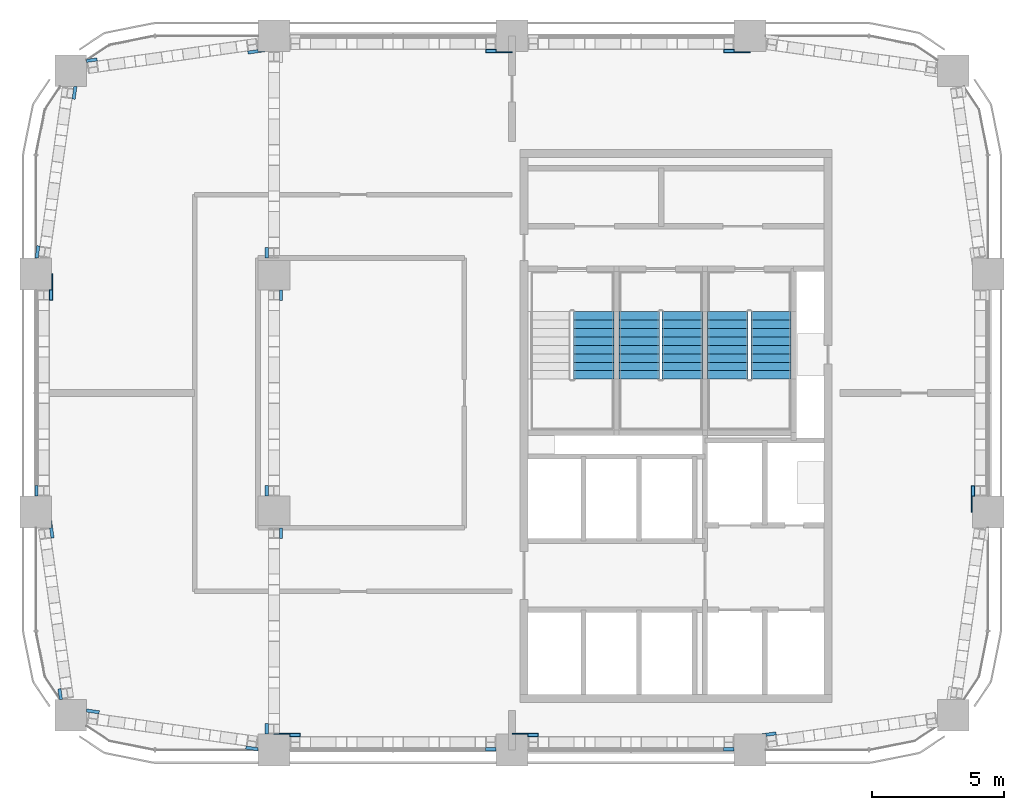
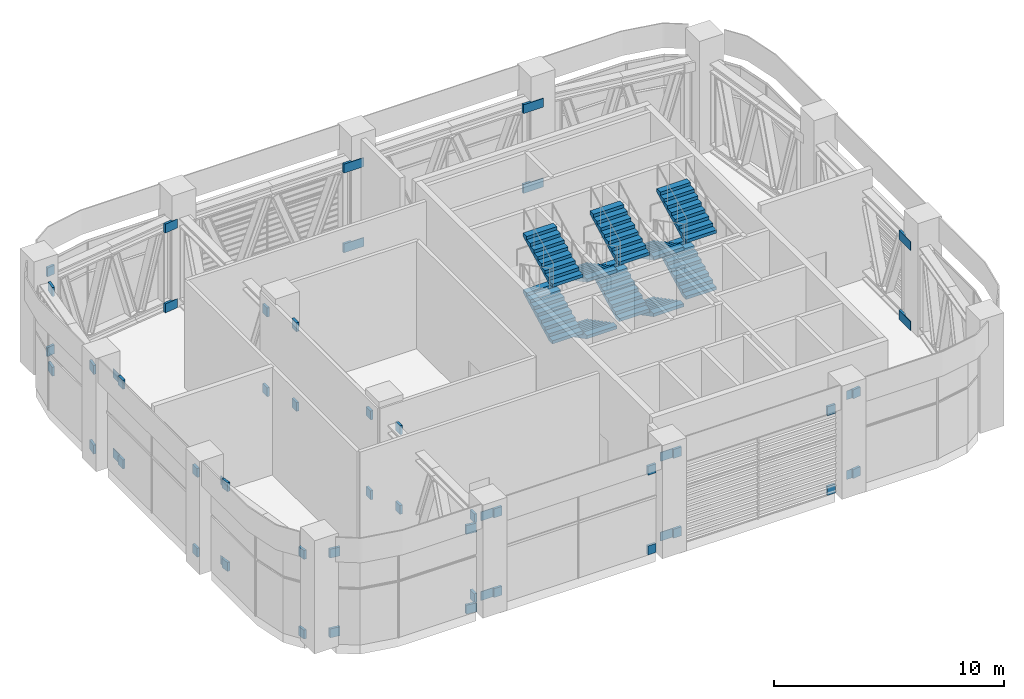
# One storey, part 11 of 14: 46 discrete accessories, 10 stair flights, 3 elements without a shape of their own.
"""IFC4 building model written with IfcOpenShell, lengths in metres."""

import ifcopenshell
import ifcopenshell.guid

model = None  # the IFC model being written
_history = None  # IfcOwnerHistory: only IFC2X3 demands one
_inside = {}  # id of a spatial element -> (the spatial element, [elements in it])
_under = {}  # id of a project, library or spatial element -> (it, [spatial elements below it])
_declared = {}  # id of a project -> (the project, [libraries it declares])
_typed = {}  # id of a type object -> (the type object, [elements of that type])
_made_of = {}  # id of a material, layer set ... -> (it, [elements and type objects made of it])


def new_model(schema):
    """Start an empty IFC model of exactly this schema.

    Asked for "IFC4X3", IfcOpenShell would pick the latest addendum, in which some entities
    have other attributes; the version numbers below select the first issue.
    IFC2X3 requires an IfcOwnerHistory on every rooted entity: one is made here for all.
    """
    global model, _history
    if schema == "IFC4X3":
        model = ifcopenshell.file(schema_version=(4, 3, 0, 0))
    else:
        model = ifcopenshell.file(schema=schema)
    _inside.clear()
    _under.clear()
    _declared.clear()
    _typed.clear()
    _made_of.clear()
    _history = None
    if model.schema == "IFC2X3":
        org = make("IfcOrganization", Name="unknown")
        user = make(
            "IfcPersonAndOrganization",
            ThePerson=make("IfcPerson", FamilyName="unknown"),
            TheOrganization=org,
        )
        app = make(
            "IfcApplication",
            ApplicationDeveloper=org,
            Version="unknown",
            ApplicationFullName="unknown",
            ApplicationIdentifier="unknown",
        )
        _history = make(
            "IfcOwnerHistory",
            OwningUser=user,
            OwningApplication=app,
            ChangeAction="ADDED",
            CreationDate=0,
        )
    return model


def make(cls, **values):
    """One entity of the class cls with the attributes given. An attribute that is None is left unset."""
    return model.create_entity(
        cls, **{name: value for name, value in values.items() if value is not None}
    )


def rooted(cls, **values):
    """An entity with a GlobalId (a new one), such as an element, a storey or a relation."""
    return make(cls, GlobalId=ifcopenshell.guid.new(), OwnerHistory=_history, **values)


def si_unit(unit_type, name, prefix=None):
    """IfcSIUnit, for example si_unit("LENGTHUNIT", "METRE", prefix="MILLI")."""
    return make("IfcSIUnit", UnitType=unit_type, Prefix=prefix, Name=name)


def assignment(units):
    """IfcUnitAssignment: the units of a project."""
    return None if units is None else make("IfcUnitAssignment", Units=units)


def point(xyz):
    """IfcCartesianPoint."""
    return None if xyz is None else make("IfcCartesianPoint", Coordinates=xyz)


def direction(xyz):
    """IfcDirection."""
    return None if xyz is None else make("IfcDirection", DirectionRatios=xyz)


def frame(location, z_axis=None, x_axis=None):
    """IfcAxis2Placement3D, a coordinate frame: its origin and axes. An axis left out is left unset."""
    return make(
        "IfcAxis2Placement3D",
        Location=point(location),
        Axis=direction(z_axis),
        RefDirection=direction(x_axis),
    )


def origin():
    """The frame at (0, 0, 0) with its axes left unset."""
    return frame((0.0, 0.0, 0.0))


def place(relative_to, where):
    """IfcLocalPlacement: puts the frame where relative to a parent placement (None: the world)."""
    return make(
        "IfcLocalPlacement", PlacementRelTo=relative_to, RelativePlacement=where
    )


def context(
    kind, dimensions, precision=None, world=None, true_north=None, identifier=None
):
    """IfcGeometricRepresentationContext, for example the 3D "Model" context."""
    return make(
        "IfcGeometricRepresentationContext",
        ContextIdentifier=identifier,
        ContextType=kind,
        CoordinateSpaceDimension=dimensions,
        Precision=precision,
        WorldCoordinateSystem=world,
        TrueNorth=true_north,
    )


def subcontext(parent, identifier, kind, view, scale=None):
    """IfcGeometricRepresentationSubContext, for example "Body" below "Model"."""
    return make(
        "IfcGeometricRepresentationSubContext",
        ContextIdentifier=identifier,
        ContextType=kind,
        ParentContext=parent,
        TargetScale=scale,
        TargetView=view,
    )


def project(units=None, contexts=None):
    """IfcProject with its units and contexts."""
    return rooted(
        "IfcProject",
        Name="project",
        RepresentationContexts=contexts,
        UnitsInContext=assignment(units),
    )


def spatial(cls, under=None, at=None, **own):
    """A site, building, storey or space (cls), placed at a placement, below another one or the project."""
    s = rooted(cls, ObjectPlacement=at, **own)
    if under is not None:
        _under.setdefault(under.id(), (under, []))[1].append(s)
    return s


def polyline(points):
    """IfcPolyline through the points."""
    return make("IfcPolyline", Points=[point(p) for p in points])


def outline(outer, holes=None, kind="AREA"):
    """IfcArbitraryClosedProfileDef: a profile drawn as a closed curve; with holes, ...WithVoids."""
    if holes is None:
        return make("IfcArbitraryClosedProfileDef", ProfileType=kind, OuterCurve=outer)
    return make(
        "IfcArbitraryProfileDefWithVoids",
        ProfileType=kind,
        OuterCurve=outer,
        InnerCurves=holes,
    )


def extrude(swept, where, along, depth):
    """IfcExtrudedAreaSolid: the profile swept, set in the frame where, extruded along a direction by depth."""
    return make(
        "IfcExtrudedAreaSolid",
        SweptArea=swept,
        Position=where,
        ExtrudedDirection=direction(along),
        Depth=depth,
    )


def shape(context_of_items, identifier, shape_type, items):
    """IfcShapeRepresentation: the items that make up one representation, for example the "Body"."""
    return make(
        "IfcShapeRepresentation",
        ContextOfItems=context_of_items,
        RepresentationIdentifier=identifier,
        RepresentationType=shape_type,
        Items=items,
    )


def material(Name=None, Category=None):
    """IfcMaterial."""
    return make("IfcMaterial", Name=Name, Category=Category)


def made_of(thing, what):
    """Note that an element or type object is made of a material, layer set ...; save() writes the relation."""
    if what is not None:
        _made_of.setdefault(what.id(), (what, []))[1].append(thing)
    return thing


def type_object(cls, material=None, **own):
    """A type object (cls), such as IfcWallType, which elements share."""
    return made_of(rooted(cls, **own), material)


def element(
    cls,
    number,
    at=None,
    inside=None,
    cuts=None,
    type_object=None,
    material=None,
    context=None,
    identifier="Body",
    shape_type=None,
    held_by="IfcProductDefinitionShape",
    body=None,
    shapes=None,
    **own,
):
    """One element of the class cls, such as IfcWall. Its Tag is "e" and its number.

    at: its placement. inside: the storey or other place that contains it. cuts: it is an
    opening in that element (IfcRelVoidsElement). A single representation is given by context,
    identifier, shape_type and body (its items); several are given by shapes. held_by: the class
    of the entity that holds the representations. save() writes the other relations.
    """
    e = rooted(cls, Tag="e%d" % number, ObjectPlacement=at, **own)
    if body is not None:
        shapes = [shape(context, identifier, shape_type, body)]
    if shapes is not None:
        e.Representation = make(held_by, Representations=shapes)
    if inside is not None:
        _inside.setdefault(inside.id(), (inside, []))[1].append(e)
    if cuts is not None:
        rooted(
            "IfcRelVoidsElement", RelatingBuildingElement=cuts, RelatedOpeningElement=e
        )
    if type_object is not None:
        _typed.setdefault(type_object.id(), (type_object, []))[1].append(e)
    return made_of(e, material)


def aggregate(whole, parts):
    """IfcRelAggregates: a whole, such as a stair, and the parts it consists of."""
    return rooted("IfcRelAggregates", RelatingObject=whole, RelatedObjects=parts)


def save(model, path):
    """Write the relations noted so far, then the file.

    IfcRelAggregates (storeys below a building ...), IfcRelContainedInSpatialStructure (elements
    in a storey), IfcRelDefinesByType, IfcRelAssociatesMaterial and IfcRelDeclares: one each for
    every whole, place, type object, material and project.
    """
    for whole, parts in _under.values():
        aggregate(whole, parts)
    for where, things in _inside.values():
        rooted(
            "IfcRelContainedInSpatialStructure",
            RelatedElements=things,
            RelatingStructure=where,
        )
    for kind, things in _typed.values():
        rooted("IfcRelDefinesByType", RelatedObjects=things, RelatingType=kind)
    for what, things in _made_of.values():
        rooted("IfcRelAssociatesMaterial", RelatedObjects=things, RelatingMaterial=what)
    for by, libraries in _declared.values():
        rooted("IfcRelDeclares", RelatingContext=by, RelatedDefinitions=libraries)
    model.write(path)


model = new_model("IFC4")

# Units and contexts
model_context = context("Model", 3, precision=1e-05, world=origin(), true_north=direction((0.0, 1.0)))
body_context = subcontext(model_context, "Body", "Model", "MODEL_VIEW")
ifc_project = project(units=[si_unit("LENGTHUNIT", "METRE"), si_unit("AREAUNIT", "SQUARE_METRE"), si_unit("VOLUMEUNIT", "CUBIC_METRE"), si_unit("PLANEANGLEUNIT", "RADIAN"), si_unit("MASSUNIT", "GRAM", prefix="KILO")], contexts=[model_context])

# Site, building, storey
site_placement = place(None, origin())
site = spatial("IfcSite", under=ifc_project, at=site_placement, CompositionType="ELEMENT")
building_placement = place(site_placement, origin())
building = spatial("IfcBuilding", under=site, at=building_placement, Name="Tessera Arch", CompositionType="ELEMENT")
storey_placement = place(building_placement, frame((0.0, 0.0, 295.199951171875)))
storey = spatial("IfcBuildingStorey", under=building, at=storey_placement, Name="L71", CompositionType="ELEMENT", Elevation=295.199951171875)

# Stair, stair flights
ifc_material_1 = material(Name="Concrete C40/50", Category="concrete")
stair_type = type_object("IfcStairType", Name="Dogleg stair 1520", PredefinedType="HALF_TURN_STAIR", material=ifc_material_1)
stair_1_placement = place(storey_placement, origin())
stair_1 = element("IfcStair", 1, at=stair_1_placement, inside=storey, type_object=stair_type, Name="L71 S1a", PredefinedType="HALF_TURN_STAIR")
ifc_material_2 = material(Name="Concrete C40/50", Category="concrete")
stair_flight_type = type_object("IfcStairFlightType", Name="Stair flight 1520", PredefinedType="STRAIGHT", material=ifc_material_2)
stair_flight_1_placement = place(storey_placement, frame((39.090087890625, 41.02001953125, 1.5), z_axis=(0.0, 0.0, 1.0), x_axis=(0.0, 1.0, 0.0)))
stair_flight_1 = element("IfcStairFlight", 2, at=stair_flight_1_placement, type_object=stair_flight_type, Name="S1a flight 2", NumberOfRisers=9, NumberOfTreads=8, PredefinedType="STRAIGHT", RiserHeight=0.166666667, TreadLength=0.32, context=body_context, shape_type="SweptSolid", body=[
    extrude(outline(polyline([(0.0, 0.0), (0.0, 0.166748046875), (0.320068359375, 0.166748046875), (0.320068359375, 0.333251953125), (0.639892578125, 0.333251953125), (0.639892578125, 0.5), (0.9599609375, 0.5), (0.9599609375, 0.666748046875), (1.280029296875, 0.666748046875), (1.280029296875, 0.833251953125), (1.60009765625, 0.833251953125), (1.60009765625, 1.0), (1.919921875, 1.0), (1.919921875, 1.166748046875), (2.239990234375, 1.166748046875), (2.239990234375, 1.333251953125), (2.56005859375, 1.333251953125), (2.56005859375, 1.5), (2.56005859375, 1.164306640625), (0.324462890625, 0.0), (0.0, 0.0)])), frame((0.0, 0.760009765625, 0.0), z_axis=(0.0, -1.0, 0.0), x_axis=(1.0, 0.0, 0.0)), (0.0, 0.0, 1.0), 1.52001953125),
])
stair_flight_2_placement = place(storey_placement, frame((39.090087890625, 41.02001953125, 4.5), z_axis=(0.0, 0.0, 1.0), x_axis=(0.0, 1.0, 0.0)))
stair_flight_2 = element("IfcStairFlight", 3, at=stair_flight_2_placement, type_object=stair_flight_type, Name="S1a flight 4", NumberOfRisers=9, NumberOfTreads=8, PredefinedType="STRAIGHT", RiserHeight=0.166666667, TreadLength=0.32, context=body_context, shape_type="SweptSolid", body=[
    extrude(outline(polyline([(0.0, 0.0), (0.0, 0.166748046875), (0.320068359375, 0.166748046875), (0.320068359375, 0.333251953125), (0.639892578125, 0.333251953125), (0.639892578125, 0.5), (0.9599609375, 0.5), (0.9599609375, 0.666748046875), (1.280029296875, 0.666748046875), (1.280029296875, 0.833251953125), (1.60009765625, 0.833251953125), (1.60009765625, 1.0), (1.919921875, 1.0), (1.919921875, 1.166748046875), (2.239990234375, 1.166748046875), (2.239990234375, 1.333251953125), (2.56005859375, 1.333251953125), (2.56005859375, 1.5), (2.56005859375, 1.164306640625), (0.324462890625, 0.0), (0.0, 0.0)])), frame((0.0, 0.760009765625, 0.0), z_axis=(0.0, -1.0, 0.0), x_axis=(1.0, 0.0, 0.0)), (0.0, 0.0, 1.0), 1.52001953125),
])
aggregate(stair_1, [stair_flight_1, stair_flight_2])

stair_2_placement = place(storey_placement, origin())
stair_2 = element("IfcStair", 4, at=stair_2_placement, inside=storey, type_object=stair_type, Name="L71 S1b", PredefinedType="HALF_TURN_STAIR")
stair_flight_3_placement = place(storey_placement, frame((40.81005859375, 43.580078125, 0.0), z_axis=(0.0, 0.0, 1.0), x_axis=(0.0, -1.0, 0.0)))
stair_flight_3 = element("IfcStairFlight", 5, at=stair_flight_3_placement, type_object=stair_flight_type, Name="S1b flight 1", NumberOfRisers=9, NumberOfTreads=8, PredefinedType="STRAIGHT", RiserHeight=0.166666667, TreadLength=0.32, context=body_context, shape_type="SweptSolid", body=[
    extrude(outline(polyline([(0.0, 0.0), (0.0, 0.166748046875), (0.320068359375, 0.166748046875), (0.320068359375, 0.333251953125), (0.639892578125, 0.333251953125), (0.639892578125, 0.5), (0.9599609375, 0.5), (0.9599609375, 0.666748046875), (1.280029296875, 0.666748046875), (1.280029296875, 0.833251953125), (1.60009765625, 0.833251953125), (1.60009765625, 1.0), (1.919921875, 1.0), (1.919921875, 1.166748046875), (2.239990234375, 1.166748046875), (2.239990234375, 1.333251953125), (2.56005859375, 1.333251953125), (2.56005859375, 1.5), (2.56005859375, 1.164306640625), (0.324462890625, 0.0), (0.0, 0.0)])), frame((0.0, 0.760009765625, 0.0), z_axis=(0.0, -1.0, 0.0), x_axis=(1.0, 0.0, 0.0)), (0.0, 0.0, 1.0), 1.52001953125),
])
stair_flight_4_placement = place(storey_placement, frame((42.43994140625, 41.02001953125, 1.5), z_axis=(0.0, 0.0, 1.0), x_axis=(0.0, 1.0, 0.0)))
stair_flight_4 = element("IfcStairFlight", 6, at=stair_flight_4_placement, type_object=stair_flight_type, Name="S1b flight 2", NumberOfRisers=9, NumberOfTreads=8, PredefinedType="STRAIGHT", RiserHeight=0.166666667, TreadLength=0.32, context=body_context, shape_type="SweptSolid", body=[
    extrude(outline(polyline([(0.0, 0.0), (0.0, 0.166748046875), (0.320068359375, 0.166748046875), (0.320068359375, 0.333251953125), (0.639892578125, 0.333251953125), (0.639892578125, 0.5), (0.9599609375, 0.5), (0.9599609375, 0.666748046875), (1.280029296875, 0.666748046875), (1.280029296875, 0.833251953125), (1.60009765625, 0.833251953125), (1.60009765625, 1.0), (1.919921875, 1.0), (1.919921875, 1.166748046875), (2.239990234375, 1.166748046875), (2.239990234375, 1.333251953125), (2.56005859375, 1.333251953125), (2.56005859375, 1.5), (2.56005859375, 1.164306640625), (0.324462890625, 0.0), (0.0, 0.0)])), frame((0.0, 0.760009765625, 0.0), z_axis=(0.0, -1.0, 0.0), x_axis=(1.0, 0.0, 0.0)), (0.0, 0.0, 1.0), 1.52001953125),
])
stair_flight_5_placement = place(storey_placement, frame((40.81005859375, 43.580078125, 3.0), z_axis=(0.0, 0.0, 1.0), x_axis=(0.0, -1.0, 0.0)))
stair_flight_5 = element("IfcStairFlight", 7, at=stair_flight_5_placement, type_object=stair_flight_type, Name="S1b flight 3", NumberOfRisers=9, NumberOfTreads=8, PredefinedType="STRAIGHT", RiserHeight=0.166666667, TreadLength=0.32, context=body_context, shape_type="SweptSolid", body=[
    extrude(outline(polyline([(0.0, 0.0), (0.0, 0.166748046875), (0.320068359375, 0.166748046875), (0.320068359375, 0.333251953125), (0.639892578125, 0.333251953125), (0.639892578125, 0.5), (0.9599609375, 0.5), (0.9599609375, 0.666748046875), (1.280029296875, 0.666748046875), (1.280029296875, 0.833251953125), (1.60009765625, 0.833251953125), (1.60009765625, 1.0), (1.919921875, 1.0), (1.919921875, 1.166748046875), (2.239990234375, 1.166748046875), (2.239990234375, 1.333251953125), (2.56005859375, 1.333251953125), (2.56005859375, 1.5), (2.56005859375, 1.164306640625), (0.324462890625, 0.0), (0.0, 0.0)])), frame((0.0, 0.760009765625, 0.0), z_axis=(0.0, -1.0, 0.0), x_axis=(1.0, 0.0, 0.0)), (0.0, 0.0, 1.0), 1.52001953125),
])
stair_flight_6_placement = place(storey_placement, frame((42.43994140625, 41.02001953125, 4.5), z_axis=(0.0, 0.0, 1.0), x_axis=(0.0, 1.0, 0.0)))
stair_flight_6 = element("IfcStairFlight", 8, at=stair_flight_6_placement, type_object=stair_flight_type, Name="S1b flight 4", NumberOfRisers=9, NumberOfTreads=8, PredefinedType="STRAIGHT", RiserHeight=0.166666667, TreadLength=0.32, context=body_context, shape_type="SweptSolid", body=[
    extrude(outline(polyline([(0.0, 0.0), (0.0, 0.166748046875), (0.320068359375, 0.166748046875), (0.320068359375, 0.333251953125), (0.639892578125, 0.333251953125), (0.639892578125, 0.5), (0.9599609375, 0.5), (0.9599609375, 0.666748046875), (1.280029296875, 0.666748046875), (1.280029296875, 0.833251953125), (1.60009765625, 0.833251953125), (1.60009765625, 1.0), (1.919921875, 1.0), (1.919921875, 1.166748046875), (2.239990234375, 1.166748046875), (2.239990234375, 1.333251953125), (2.56005859375, 1.333251953125), (2.56005859375, 1.5), (2.56005859375, 1.164306640625), (0.324462890625, 0.0), (0.0, 0.0)])), frame((0.0, 0.760009765625, 0.0), z_axis=(0.0, -1.0, 0.0), x_axis=(1.0, 0.0, 0.0)), (0.0, 0.0, 1.0), 1.52001953125),
])
aggregate(stair_2, [stair_flight_3, stair_flight_4, stair_flight_5, stair_flight_6])

stair_3_placement = place(storey_placement, origin())
stair_3 = element("IfcStair", 9, at=stair_3_placement, inside=storey, type_object=stair_type, Name="L71 S1c", PredefinedType="HALF_TURN_STAIR")
stair_flight_7_placement = place(storey_placement, frame((44.159912109375, 43.580078125, 0.0), z_axis=(0.0, 0.0, 1.0), x_axis=(0.0, -1.0, 0.0)))
stair_flight_7 = element("IfcStairFlight", 10, at=stair_flight_7_placement, type_object=stair_flight_type, Name="S1c flight 1", NumberOfRisers=9, NumberOfTreads=8, PredefinedType="STRAIGHT", RiserHeight=0.166666667, TreadLength=0.32, context=body_context, shape_type="SweptSolid", body=[
    extrude(outline(polyline([(0.0, 0.0), (0.0, 0.166748046875), (0.320068359375, 0.166748046875), (0.320068359375, 0.333251953125), (0.639892578125, 0.333251953125), (0.639892578125, 0.5), (0.9599609375, 0.5), (0.9599609375, 0.666748046875), (1.280029296875, 0.666748046875), (1.280029296875, 0.833251953125), (1.60009765625, 0.833251953125), (1.60009765625, 1.0), (1.919921875, 1.0), (1.919921875, 1.166748046875), (2.239990234375, 1.166748046875), (2.239990234375, 1.333251953125), (2.56005859375, 1.333251953125), (2.56005859375, 1.5), (2.56005859375, 1.164306640625), (0.324462890625, 0.0), (0.0, 0.0)])), frame((0.0, 0.760009765625, 0.0), z_axis=(0.0, -1.0, 0.0), x_axis=(1.0, 0.0, 0.0)), (0.0, 0.0, 1.0), 1.52001953125),
])
stair_flight_8_placement = place(storey_placement, frame((45.7900390625, 41.02001953125, 1.5), z_axis=(0.0, 0.0, 1.0), x_axis=(0.0, 1.0, 0.0)))
stair_flight_8 = element("IfcStairFlight", 11, at=stair_flight_8_placement, type_object=stair_flight_type, Name="S1c flight 2", NumberOfRisers=9, NumberOfTreads=8, PredefinedType="STRAIGHT", RiserHeight=0.166666667, TreadLength=0.32, context=body_context, shape_type="SweptSolid", body=[
    extrude(outline(polyline([(0.0, 0.0), (0.0, 0.166748046875), (0.320068359375, 0.166748046875), (0.320068359375, 0.333251953125), (0.639892578125, 0.333251953125), (0.639892578125, 0.5), (0.9599609375, 0.5), (0.9599609375, 0.666748046875), (1.280029296875, 0.666748046875), (1.280029296875, 0.833251953125), (1.60009765625, 0.833251953125), (1.60009765625, 1.0), (1.919921875, 1.0), (1.919921875, 1.166748046875), (2.239990234375, 1.166748046875), (2.239990234375, 1.333251953125), (2.56005859375, 1.333251953125), (2.56005859375, 1.5), (2.56005859375, 1.164306640625), (0.324462890625, 0.0), (0.0, 0.0)])), frame((0.0, 0.760009765625, 0.0), z_axis=(0.0, -1.0, 0.0), x_axis=(1.0, 0.0, 0.0)), (0.0, 0.0, 1.0), 1.52001953125),
])
stair_flight_9_placement = place(storey_placement, frame((44.159912109375, 43.580078125, 3.0), z_axis=(0.0, 0.0, 1.0), x_axis=(0.0, -1.0, 0.0)))
stair_flight_9 = element("IfcStairFlight", 12, at=stair_flight_9_placement, type_object=stair_flight_type, Name="S1c flight 3", NumberOfRisers=9, NumberOfTreads=8, PredefinedType="STRAIGHT", RiserHeight=0.166666667, TreadLength=0.32, context=body_context, shape_type="SweptSolid", body=[
    extrude(outline(polyline([(0.0, 0.0), (0.0, 0.166748046875), (0.320068359375, 0.166748046875), (0.320068359375, 0.333251953125), (0.639892578125, 0.333251953125), (0.639892578125, 0.5), (0.9599609375, 0.5), (0.9599609375, 0.666748046875), (1.280029296875, 0.666748046875), (1.280029296875, 0.833251953125), (1.60009765625, 0.833251953125), (1.60009765625, 1.0), (1.919921875, 1.0), (1.919921875, 1.166748046875), (2.239990234375, 1.166748046875), (2.239990234375, 1.333251953125), (2.56005859375, 1.333251953125), (2.56005859375, 1.5), (2.56005859375, 1.164306640625), (0.324462890625, 0.0), (0.0, 0.0)])), frame((0.0, 0.760009765625, 0.0), z_axis=(0.0, -1.0, 0.0), x_axis=(1.0, 0.0, 0.0)), (0.0, 0.0, 1.0), 1.52001953125),
])
stair_flight_10_placement = place(storey_placement, frame((45.7900390625, 41.02001953125, 4.5), z_axis=(0.0, 0.0, 1.0), x_axis=(0.0, 1.0, 0.0)))
stair_flight_10 = element("IfcStairFlight", 13, at=stair_flight_10_placement, type_object=stair_flight_type, Name="S1c flight 4", NumberOfRisers=9, NumberOfTreads=8, PredefinedType="STRAIGHT", RiserHeight=0.166666667, TreadLength=0.32, context=body_context, shape_type="SweptSolid", body=[
    extrude(outline(polyline([(0.0, 0.0), (0.0, 0.166748046875), (0.320068359375, 0.166748046875), (0.320068359375, 0.333251953125), (0.639892578125, 0.333251953125), (0.639892578125, 0.5), (0.9599609375, 0.5), (0.9599609375, 0.666748046875), (1.280029296875, 0.666748046875), (1.280029296875, 0.833251953125), (1.60009765625, 0.833251953125), (1.60009765625, 1.0), (1.919921875, 1.0), (1.919921875, 1.166748046875), (2.239990234375, 1.166748046875), (2.239990234375, 1.333251953125), (2.56005859375, 1.333251953125), (2.56005859375, 1.5), (2.56005859375, 1.164306640625), (0.324462890625, 0.0), (0.0, 0.0)])), frame((0.0, 0.760009765625, 0.0), z_axis=(0.0, -1.0, 0.0), x_axis=(1.0, 0.0, 0.0)), (0.0, 0.0, 1.0), 1.52001953125),
])
aggregate(stair_3, [stair_flight_7, stair_flight_8, stair_flight_9, stair_flight_10])

# Discrete accessories
discrete_accessory_1_placement = place(storey_placement, frame((0.0, 0.0, 4.225830078125)))
element("IfcDiscreteAccessory", 14, at=discrete_accessory_1_placement, inside=storey, Name="Chord seat bracket", PredefinedType="BRACKET", context=body_context, shape_type="SweptSolid", body=[
    extrude(outline(polyline([(53.488037109375, 37.0), (53.488037109375, 36.60009765625), (53.39990234375, 36.60009765625), (53.39990234375, 36.0), (53.367919921875, 36.0), (53.367919921875, 37.0), (53.488037109375, 37.0)])), origin(), (0.0, 0.0, 1.0), 0.47412109375),
])
discrete_accessory_2_placement = place(storey_placement, origin())
element("IfcDiscreteAccessory", 15, at=discrete_accessory_2_placement, inside=storey, Name="Chord seat bracket", PredefinedType="BRACKET", context=body_context, shape_type="SweptSolid", body=[
    extrude(outline(polyline([(53.488037109375, 37.0), (53.488037109375, 36.60009765625), (53.39990234375, 36.60009765625), (53.39990234375, 36.0), (53.367919921875, 36.0), (53.367919921875, 37.0), (53.488037109375, 37.0)])), origin(), (0.0, 0.0, 1.0), 0.474365234375),
])
discrete_accessory_3_placement = place(storey_placement, frame((0.0, 0.0, 4.225830078125)))
element("IfcDiscreteAccessory", 16, at=discrete_accessory_3_placement, inside=storey, Name="Chord seat bracket", PredefinedType="BRACKET", context=body_context, shape_type="SweptSolid", body=[
    extrude(outline(polyline([(45.0, 53.367919921875), (44.0, 53.367919921875), (44.0, 53.488037109375), (44.39990234375, 53.488037109375), (44.39990234375, 53.39990234375), (45.0, 53.39990234375), (45.0, 53.367919921875)])), origin(), (0.0, 0.0, 1.0), 0.47412109375),
])
discrete_accessory_4_placement = place(storey_placement, origin())
element("IfcDiscreteAccessory", 17, at=discrete_accessory_4_placement, inside=storey, Name="Chord seat bracket", PredefinedType="BRACKET", context=body_context, shape_type="SweptSolid", body=[
    extrude(outline(polyline([(45.0, 53.367919921875), (44.0, 53.367919921875), (44.0, 53.488037109375), (44.39990234375, 53.488037109375), (44.39990234375, 53.39990234375), (45.0, 53.39990234375), (45.0, 53.367919921875)])), origin(), (0.0, 0.0, 1.0), 0.474365234375),
])
discrete_accessory_5_placement = place(storey_placement, frame((0.0, 0.0, 4.225830078125)))
element("IfcDiscreteAccessory", 18, at=discrete_accessory_5_placement, inside=storey, Name="Chord seat bracket", PredefinedType="BRACKET", context=body_context, shape_type="SweptSolid", body=[
    extrude(outline(polyline([(36.0, 53.367919921875), (35.0, 53.367919921875), (35.0, 53.488037109375), (35.39990234375, 53.488037109375), (35.39990234375, 53.39990234375), (36.0, 53.39990234375), (36.0, 53.367919921875)])), origin(), (0.0, 0.0, 1.0), 0.47412109375),
])
discrete_accessory_6_placement = place(storey_placement, origin())
element("IfcDiscreteAccessory", 19, at=discrete_accessory_6_placement, inside=storey, Name="Chord seat bracket", PredefinedType="BRACKET", context=body_context, shape_type="SweptSolid", body=[
    extrude(outline(polyline([(36.0, 53.367919921875), (35.0, 53.367919921875), (35.0, 53.488037109375), (35.39990234375, 53.488037109375), (35.39990234375, 53.39990234375), (36.0, 53.39990234375), (36.0, 53.367919921875)])), origin(), (0.0, 0.0, 1.0), 0.474365234375),
])
discrete_accessory_7_placement = place(storey_placement, frame((0.0, 0.0, 4.225830078125)))
element("IfcDiscreteAccessory", 20, at=discrete_accessory_7_placement, inside=storey, Name="Chord seat bracket", PredefinedType="BRACKET", context=body_context, shape_type="SweptSolid", body=[
    extrude(outline(polyline([(26.6708984375, 53.39990234375), (26.020751953125, 53.30810546875), (26.00390625, 53.4267578125), (26.39990234375, 53.48291015625), (26.39990234375, 53.39990234375), (26.6708984375, 53.39990234375)])), origin(), (0.0, 0.0, 1.0), 0.47412109375),
])
discrete_accessory_8_placement = place(storey_placement, frame((0.0, 0.0, 4.225830078125)))
element("IfcDiscreteAccessory", 21, at=discrete_accessory_8_placement, inside=storey, Name="Chord seat bracket", PredefinedType="BRACKET", context=body_context, shape_type="SweptSolid", body=[
    extrude(outline(polyline([(20.326416015625, 53.0517578125), (19.91796875, 52.994140625), (19.91796875, 53.115234375), (20.3095703125, 53.170654296875), (20.326416015625, 53.0517578125)])), origin(), (0.0, 0.0, 1.0), 0.47412109375),
])
discrete_accessory_9_placement = place(storey_placement, origin())
element("IfcDiscreteAccessory", 22, at=discrete_accessory_9_placement, inside=storey, Name="Chord seat bracket", PredefinedType="BRACKET", context=body_context, shape_type="SweptSolid", body=[
    extrude(outline(polyline([(26.6708984375, 53.39990234375), (26.020751953125, 53.30810546875), (26.00390625, 53.4267578125), (26.39990234375, 53.48291015625), (26.39990234375, 53.39990234375), (26.6708984375, 53.39990234375)])), origin(), (0.0, 0.0, 1.0), 0.474365234375),
])
discrete_accessory_10_placement = place(storey_placement, origin())
element("IfcDiscreteAccessory", 23, at=discrete_accessory_10_placement, inside=storey, Name="Chord seat bracket", PredefinedType="BRACKET", context=body_context, shape_type="SweptSolid", body=[
    extrude(outline(polyline([(20.326416015625, 53.0517578125), (19.91796875, 52.994140625), (19.91796875, 53.115234375), (20.3095703125, 53.170654296875), (20.326416015625, 53.0517578125)])), origin(), (0.0, 0.0, 1.0), 0.474365234375),
])
discrete_accessory_11_placement = place(storey_placement, frame((0.0, 0.0, 4.225830078125)))
element("IfcDiscreteAccessory", 24, at=discrete_accessory_11_placement, inside=storey, Name="Chord seat bracket", PredefinedType="BRACKET", context=body_context, shape_type="SweptSolid", body=[
    extrude(outline(polyline([(19.367919921875, 51.6142578125), (19.43408203125, 52.08203125), (19.555419921875, 52.08203125), (19.48681640625, 51.597412109375), (19.367919921875, 51.6142578125)])), origin(), (0.0, 0.0, 1.0), 0.47412109375),
])
discrete_accessory_12_placement = place(storey_placement, frame((0.0, 0.0, 4.225830078125)))
element("IfcDiscreteAccessory", 25, at=discrete_accessory_12_placement, inside=storey, Name="Chord seat bracket", PredefinedType="BRACKET", context=body_context, shape_type="SweptSolid", body=[
    extrude(outline(polyline([(18.1533203125, 46.055419921875), (18.0888671875, 45.60009765625), (17.9677734375, 45.60009765625), (18.034423828125, 46.072265625), (18.1533203125, 46.055419921875)])), origin(), (0.0, 0.0, 1.0), 0.47412109375),
])
discrete_accessory_13_placement = place(storey_placement, origin())
element("IfcDiscreteAccessory", 26, at=discrete_accessory_13_placement, inside=storey, Name="Chord seat bracket", PredefinedType="BRACKET", context=body_context, shape_type="SweptSolid", body=[
    extrude(outline(polyline([(19.367919921875, 51.6142578125), (19.43408203125, 52.08203125), (19.555419921875, 52.08203125), (19.48681640625, 51.597412109375), (19.367919921875, 51.6142578125)])), origin(), (0.0, 0.0, 1.0), 0.474365234375),
])
discrete_accessory_14_placement = place(storey_placement, origin())
element("IfcDiscreteAccessory", 27, at=discrete_accessory_14_placement, inside=storey, Name="Chord seat bracket", PredefinedType="BRACKET", context=body_context, shape_type="SweptSolid", body=[
    extrude(outline(polyline([(18.1533203125, 46.055419921875), (18.0888671875, 45.60009765625), (17.9677734375, 45.60009765625), (18.034423828125, 46.072265625), (18.1533203125, 46.055419921875)])), origin(), (0.0, 0.0, 1.0), 0.474365234375),
])
discrete_accessory_15_placement = place(storey_placement, frame((0.0, 0.0, 4.225830078125)))
element("IfcDiscreteAccessory", 28, at=discrete_accessory_15_placement, inside=storey, Name="Chord seat bracket", PredefinedType="BRACKET", context=body_context, shape_type="SweptSolid", body=[
    extrude(outline(polyline([(18.511962890625, 44.0), (18.511962890625, 44.39990234375), (18.60009765625, 44.39990234375), (18.60009765625, 45.0), (18.632080078125, 45.0), (18.632080078125, 44.0), (18.511962890625, 44.0)])), origin(), (0.0, 0.0, 1.0), 0.47412109375),
])
discrete_accessory_16_placement = place(storey_placement, frame((0.0, 0.0, 4.225830078125)))
element("IfcDiscreteAccessory", 29, at=discrete_accessory_16_placement, inside=storey, Name="Chord seat bracket", PredefinedType="BRACKET", context=body_context, shape_type="SweptSolid", body=[
    extrude(outline(polyline([(18.087890625, 36.60009765625), (17.968017578125, 36.60009765625), (17.968017578125, 37.0), (18.087890625, 37.0), (18.087890625, 36.60009765625)])), origin(), (0.0, 0.0, 1.0), 0.47412109375),
])
discrete_accessory_17_placement = place(storey_placement, origin())
element("IfcDiscreteAccessory", 30, at=discrete_accessory_17_placement, inside=storey, Name="Chord seat bracket", PredefinedType="BRACKET", context=body_context, shape_type="SweptSolid", body=[
    extrude(outline(polyline([(18.511962890625, 44.0), (18.511962890625, 44.39990234375), (18.60009765625, 44.39990234375), (18.60009765625, 45.0), (18.632080078125, 45.0), (18.632080078125, 44.0), (18.511962890625, 44.0)])), origin(), (0.0, 0.0, 1.0), 0.474365234375),
])
discrete_accessory_18_placement = place(storey_placement, origin())
element("IfcDiscreteAccessory", 31, at=discrete_accessory_18_placement, inside=storey, Name="Chord seat bracket", PredefinedType="BRACKET", context=body_context, shape_type="SweptSolid", body=[
    extrude(outline(polyline([(18.087890625, 36.60009765625), (17.968017578125, 36.60009765625), (17.968017578125, 37.0), (18.087890625, 37.0), (18.087890625, 36.60009765625)])), origin(), (0.0, 0.0, 1.0), 0.474365234375),
])
discrete_accessory_19_placement = place(storey_placement, frame((0.0, 0.0, 4.225830078125)))
element("IfcDiscreteAccessory", 32, at=discrete_accessory_19_placement, inside=storey, Name="Chord seat bracket", PredefinedType="BRACKET", context=body_context, shape_type="SweptSolid", body=[
    extrude(outline(polyline([(18.60009765625, 35.6708984375), (18.69189453125, 35.020751953125), (18.5732421875, 35.00390625), (18.51708984375, 35.39990234375), (18.60009765625, 35.39990234375), (18.60009765625, 35.6708984375)])), origin(), (0.0, 0.0, 1.0), 0.47412109375),
])
discrete_accessory_20_placement = place(storey_placement, frame((0.0, 0.0, 4.225830078125)))
element("IfcDiscreteAccessory", 33, at=discrete_accessory_20_placement, inside=storey, Name="Chord seat bracket", PredefinedType="BRACKET", context=body_context, shape_type="SweptSolid", body=[
    extrude(outline(polyline([(18.884765625, 28.91796875), (18.829345703125, 29.3095703125), (18.9482421875, 29.326416015625), (19.005859375, 28.91796875), (18.884765625, 28.91796875)])), origin(), (0.0, 0.0, 1.0), 0.47412109375),
])
discrete_accessory_21_placement = place(storey_placement, origin())
element("IfcDiscreteAccessory", 34, at=discrete_accessory_21_placement, inside=storey, Name="Chord seat bracket", PredefinedType="BRACKET", context=body_context, shape_type="SweptSolid", body=[
    extrude(outline(polyline([(18.60009765625, 35.6708984375), (18.69189453125, 35.020751953125), (18.5732421875, 35.00390625), (18.51708984375, 35.39990234375), (18.60009765625, 35.39990234375), (18.60009765625, 35.6708984375)])), origin(), (0.0, 0.0, 1.0), 0.474365234375),
])
discrete_accessory_22_placement = place(storey_placement, origin())
element("IfcDiscreteAccessory", 35, at=discrete_accessory_22_placement, inside=storey, Name="Chord seat bracket", PredefinedType="BRACKET", context=body_context, shape_type="SweptSolid", body=[
    extrude(outline(polyline([(18.884765625, 28.91796875), (18.829345703125, 29.3095703125), (18.9482421875, 29.326416015625), (19.005859375, 28.91796875), (18.884765625, 28.91796875)])), origin(), (0.0, 0.0, 1.0), 0.474365234375),
])
discrete_accessory_23_placement = place(storey_placement, frame((0.0, 0.0, 4.225830078125)))
element("IfcDiscreteAccessory", 36, at=discrete_accessory_23_placement, inside=storey, Name="Chord seat bracket", PredefinedType="BRACKET", context=body_context, shape_type="SweptSolid", body=[
    extrude(outline(polyline([(19.91796875, 28.555419921875), (20.402587890625, 28.48681640625), (20.3857421875, 28.367919921875), (19.91796875, 28.43408203125), (19.91796875, 28.555419921875)])), origin(), (0.0, 0.0, 1.0), 0.47412109375),
])
discrete_accessory_24_placement = place(storey_placement, frame((0.0, 0.0, 4.225830078125)))
element("IfcDiscreteAccessory", 37, at=discrete_accessory_24_placement, inside=storey, Name="Chord seat bracket", PredefinedType="BRACKET", context=body_context, shape_type="SweptSolid", body=[
    extrude(outline(polyline([(25.944580078125, 27.1533203125), (26.39990234375, 27.0888671875), (26.39990234375, 26.9677734375), (25.927734375, 27.034423828125), (25.944580078125, 27.1533203125)])), origin(), (0.0, 0.0, 1.0), 0.47412109375),
])
discrete_accessory_25_placement = place(storey_placement, origin())
element("IfcDiscreteAccessory", 38, at=discrete_accessory_25_placement, inside=storey, Name="Chord seat bracket", PredefinedType="BRACKET", context=body_context, shape_type="SweptSolid", body=[
    extrude(outline(polyline([(19.91796875, 28.555419921875), (20.402587890625, 28.48681640625), (20.3857421875, 28.367919921875), (19.91796875, 28.43408203125), (19.91796875, 28.555419921875)])), origin(), (0.0, 0.0, 1.0), 0.474365234375),
])
discrete_accessory_26_placement = place(storey_placement, origin())
element("IfcDiscreteAccessory", 39, at=discrete_accessory_26_placement, inside=storey, Name="Chord seat bracket", PredefinedType="BRACKET", context=body_context, shape_type="SweptSolid", body=[
    extrude(outline(polyline([(25.944580078125, 27.1533203125), (26.39990234375, 27.0888671875), (26.39990234375, 26.9677734375), (25.927734375, 27.034423828125), (25.944580078125, 27.1533203125)])), origin(), (0.0, 0.0, 1.0), 0.474365234375),
])
discrete_accessory_27_placement = place(storey_placement, frame((0.0, 0.0, 4.225830078125)))
element("IfcDiscreteAccessory", 40, at=discrete_accessory_27_placement, inside=storey, Name="Chord seat bracket", PredefinedType="BRACKET", context=body_context, shape_type="SweptSolid", body=[
    extrude(outline(polyline([(28.0, 27.511962890625), (27.60009765625, 27.511962890625), (27.60009765625, 27.60009765625), (27.0, 27.60009765625), (27.0, 27.632080078125), (28.0, 27.632080078125), (28.0, 27.511962890625)])), origin(), (0.0, 0.0, 1.0), 0.47412109375),
])
discrete_accessory_28_placement = place(storey_placement, frame((0.0, 0.0, 4.225830078125)))
element("IfcDiscreteAccessory", 41, at=discrete_accessory_28_placement, inside=storey, Name="Chord seat bracket", PredefinedType="BRACKET", context=body_context, shape_type="SweptSolid", body=[
    extrude(outline(polyline([(35.0, 27.087890625), (35.39990234375, 27.087890625), (35.39990234375, 26.968017578125), (35.0, 26.968017578125), (35.0, 27.087890625)])), origin(), (0.0, 0.0, 1.0), 0.47412109375),
])
discrete_accessory_29_placement = place(storey_placement, origin())
element("IfcDiscreteAccessory", 42, at=discrete_accessory_29_placement, inside=storey, Name="Chord seat bracket", PredefinedType="BRACKET", context=body_context, shape_type="SweptSolid", body=[
    extrude(outline(polyline([(28.0, 27.511962890625), (27.60009765625, 27.511962890625), (27.60009765625, 27.60009765625), (27.0, 27.60009765625), (27.0, 27.632080078125), (28.0, 27.632080078125), (28.0, 27.511962890625)])), origin(), (0.0, 0.0, 1.0), 0.474365234375),
])
discrete_accessory_30_placement = place(storey_placement, origin())
element("IfcDiscreteAccessory", 43, at=discrete_accessory_30_placement, inside=storey, Name="Chord seat bracket", PredefinedType="BRACKET", context=body_context, shape_type="SweptSolid", body=[
    extrude(outline(polyline([(35.0, 27.087890625), (35.39990234375, 27.087890625), (35.39990234375, 26.968017578125), (35.0, 26.968017578125), (35.0, 27.087890625)])), origin(), (0.0, 0.0, 1.0), 0.474365234375),
])
discrete_accessory_31_placement = place(storey_placement, frame((0.0, 0.0, 4.225830078125)))
element("IfcDiscreteAccessory", 44, at=discrete_accessory_31_placement, inside=storey, Name="Chord seat bracket", PredefinedType="BRACKET", context=body_context, shape_type="SweptSolid", body=[
    extrude(outline(polyline([(36.60009765625, 27.60009765625), (36.0, 27.60009765625), (36.0, 27.632080078125), (37.0, 27.632080078125), (37.0, 27.511962890625), (36.60009765625, 27.511962890625), (36.60009765625, 27.60009765625)])), origin(), (0.0, 0.0, 1.0), 0.47412109375),
])
discrete_accessory_32_placement = place(storey_placement, frame((0.0, 0.0, 4.225830078125)))
element("IfcDiscreteAccessory", 45, at=discrete_accessory_32_placement, inside=storey, Name="Chord seat bracket", PredefinedType="BRACKET", context=body_context, shape_type="SweptSolid", body=[
    extrude(outline(polyline([(44.0, 27.087890625), (44.39990234375, 27.087890625), (44.39990234375, 26.968017578125), (44.0, 26.968017578125), (44.0, 27.087890625)])), origin(), (0.0, 0.0, 1.0), 0.47412109375),
])
discrete_accessory_33_placement = place(storey_placement, origin())
element("IfcDiscreteAccessory", 46, at=discrete_accessory_33_placement, inside=storey, Name="Chord seat bracket", PredefinedType="BRACKET", context=body_context, shape_type="SweptSolid", body=[
    extrude(outline(polyline([(36.60009765625, 27.60009765625), (36.0, 27.60009765625), (36.0, 27.632080078125), (37.0, 27.632080078125), (37.0, 27.511962890625), (36.60009765625, 27.511962890625), (36.60009765625, 27.60009765625)])), origin(), (0.0, 0.0, 1.0), 0.474365234375),
])
discrete_accessory_34_placement = place(storey_placement, origin())
element("IfcDiscreteAccessory", 47, at=discrete_accessory_34_placement, inside=storey, Name="Chord seat bracket", PredefinedType="BRACKET", context=body_context, shape_type="SweptSolid", body=[
    extrude(outline(polyline([(44.0, 27.087890625), (44.39990234375, 27.087890625), (44.39990234375, 26.968017578125), (44.0, 26.968017578125), (44.0, 27.087890625)])), origin(), (0.0, 0.0, 1.0), 0.474365234375),
])
discrete_accessory_35_placement = place(storey_placement, frame((0.0, 0.0, 4.225830078125)))
element("IfcDiscreteAccessory", 48, at=discrete_accessory_35_placement, inside=storey, Name="Chord seat bracket", PredefinedType="BRACKET", context=body_context, shape_type="SweptSolid", body=[
    extrude(outline(polyline([(45.979248046875, 27.69189453125), (45.99609375, 27.5732421875), (45.60009765625, 27.51708984375), (45.60009765625, 27.60009765625), (45.3291015625, 27.60009765625), (45.979248046875, 27.69189453125)])), origin(), (0.0, 0.0, 1.0), 0.47412109375),
])
discrete_accessory_36_placement = place(storey_placement, origin())
element("IfcDiscreteAccessory", 49, at=discrete_accessory_36_placement, inside=storey, Name="Chord seat bracket", PredefinedType="BRACKET", context=body_context, shape_type="SweptSolid", body=[
    extrude(outline(polyline([(45.979248046875, 27.69189453125), (45.99609375, 27.5732421875), (45.60009765625, 27.51708984375), (45.60009765625, 27.60009765625), (45.3291015625, 27.60009765625), (45.979248046875, 27.69189453125)])), origin(), (0.0, 0.0, 1.0), 0.474365234375),
])
discrete_accessory_37_placement = place(storey_placement, frame((0.0, 0.0, 4.225830078125)))
element("IfcDiscreteAccessory", 50, at=discrete_accessory_37_placement, inside=storey, Name="Chord seat bracket", PredefinedType="BRACKET", context=body_context, shape_type="SweptSolid", body=[
    extrude(outline(polyline([(26.7880859375, 28.0), (26.7880859375, 27.60009765625), (26.66796875, 27.60009765625), (26.66796875, 28.0), (26.7880859375, 28.0)])), origin(), (0.0, 0.0, 1.0), 0.47412109375),
])
discrete_accessory_38_placement = place(storey_placement, frame((0.0, 0.0, 4.225830078125)))
element("IfcDiscreteAccessory", 51, at=discrete_accessory_38_placement, inside=storey, Name="Chord seat bracket", PredefinedType="BRACKET", context=body_context, shape_type="SweptSolid", body=[
    extrude(outline(polyline([(27.2119140625, 35.39990234375), (27.33203125, 35.39990234375), (27.33203125, 35.0), (27.2119140625, 35.0), (27.2119140625, 35.39990234375)])), origin(), (0.0, 0.0, 1.0), 0.47412109375),
])
discrete_accessory_39_placement = place(storey_placement, origin())
element("IfcDiscreteAccessory", 52, at=discrete_accessory_39_placement, inside=storey, Name="Chord seat bracket", PredefinedType="BRACKET", context=body_context, shape_type="SweptSolid", body=[
    extrude(outline(polyline([(26.7880859375, 28.0), (26.7880859375, 27.60009765625), (26.66796875, 27.60009765625), (26.66796875, 28.0), (26.7880859375, 28.0)])), origin(), (0.0, 0.0, 1.0), 0.474365234375),
])
discrete_accessory_40_placement = place(storey_placement, origin())
element("IfcDiscreteAccessory", 53, at=discrete_accessory_40_placement, inside=storey, Name="Chord seat bracket", PredefinedType="BRACKET", context=body_context, shape_type="SweptSolid", body=[
    extrude(outline(polyline([(27.2119140625, 35.39990234375), (27.33203125, 35.39990234375), (27.33203125, 35.0), (27.2119140625, 35.0), (27.2119140625, 35.39990234375)])), origin(), (0.0, 0.0, 1.0), 0.474365234375),
])
discrete_accessory_41_placement = place(storey_placement, frame((0.0, 0.0, 4.225830078125)))
element("IfcDiscreteAccessory", 54, at=discrete_accessory_41_placement, inside=storey, Name="Chord seat bracket", PredefinedType="BRACKET", context=body_context, shape_type="SweptSolid", body=[
    extrude(outline(polyline([(26.7880859375, 36.60009765625), (26.66796875, 36.60009765625), (26.66796875, 37.0), (26.7880859375, 37.0), (26.7880859375, 36.60009765625)])), origin(), (0.0, 0.0, 1.0), 0.47412109375),
])
discrete_accessory_42_placement = place(storey_placement, frame((0.0, 0.0, 4.225830078125)))
element("IfcDiscreteAccessory", 55, at=discrete_accessory_42_placement, inside=storey, Name="Chord seat bracket", PredefinedType="BRACKET", context=body_context, shape_type="SweptSolid", body=[
    extrude(outline(polyline([(27.2119140625, 44.0), (27.2119140625, 44.39990234375), (27.33203125, 44.39990234375), (27.33203125, 44.0), (27.2119140625, 44.0)])), origin(), (0.0, 0.0, 1.0), 0.47412109375),
])
discrete_accessory_43_placement = place(storey_placement, origin())
element("IfcDiscreteAccessory", 56, at=discrete_accessory_43_placement, inside=storey, Name="Chord seat bracket", PredefinedType="BRACKET", context=body_context, shape_type="SweptSolid", body=[
    extrude(outline(polyline([(26.7880859375, 36.60009765625), (26.66796875, 36.60009765625), (26.66796875, 37.0), (26.7880859375, 37.0), (26.7880859375, 36.60009765625)])), origin(), (0.0, 0.0, 1.0), 0.474365234375),
])
discrete_accessory_44_placement = place(storey_placement, origin())
element("IfcDiscreteAccessory", 57, at=discrete_accessory_44_placement, inside=storey, Name="Chord seat bracket", PredefinedType="BRACKET", context=body_context, shape_type="SweptSolid", body=[
    extrude(outline(polyline([(27.2119140625, 44.0), (27.2119140625, 44.39990234375), (27.33203125, 44.39990234375), (27.33203125, 44.0), (27.2119140625, 44.0)])), origin(), (0.0, 0.0, 1.0), 0.474365234375),
])
discrete_accessory_45_placement = place(storey_placement, frame((0.0, 0.0, 4.225830078125)))
element("IfcDiscreteAccessory", 58, at=discrete_accessory_45_placement, inside=storey, Name="Chord seat bracket", PredefinedType="BRACKET", context=body_context, shape_type="SweptSolid", body=[
    extrude(outline(polyline([(26.7880859375, 46.0), (26.7880859375, 45.60009765625), (26.66796875, 45.60009765625), (26.66796875, 46.0), (26.7880859375, 46.0)])), origin(), (0.0, 0.0, 1.0), 0.47412109375),
])
discrete_accessory_46_placement = place(storey_placement, origin())
element("IfcDiscreteAccessory", 59, at=discrete_accessory_46_placement, inside=storey, Name="Chord seat bracket", PredefinedType="BRACKET", context=body_context, shape_type="SweptSolid", body=[
    extrude(outline(polyline([(26.7880859375, 46.0), (26.7880859375, 45.60009765625), (26.66796875, 45.60009765625), (26.66796875, 46.0), (26.7880859375, 46.0)])), origin(), (0.0, 0.0, 1.0), 0.474365234375),
])

save(model, "model.ifc")
